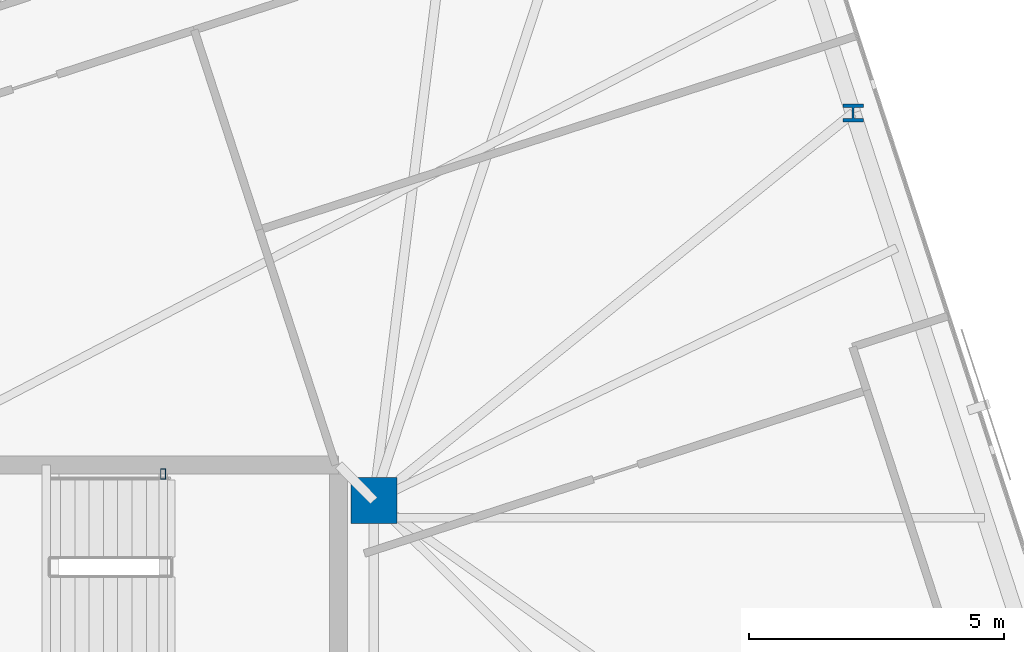
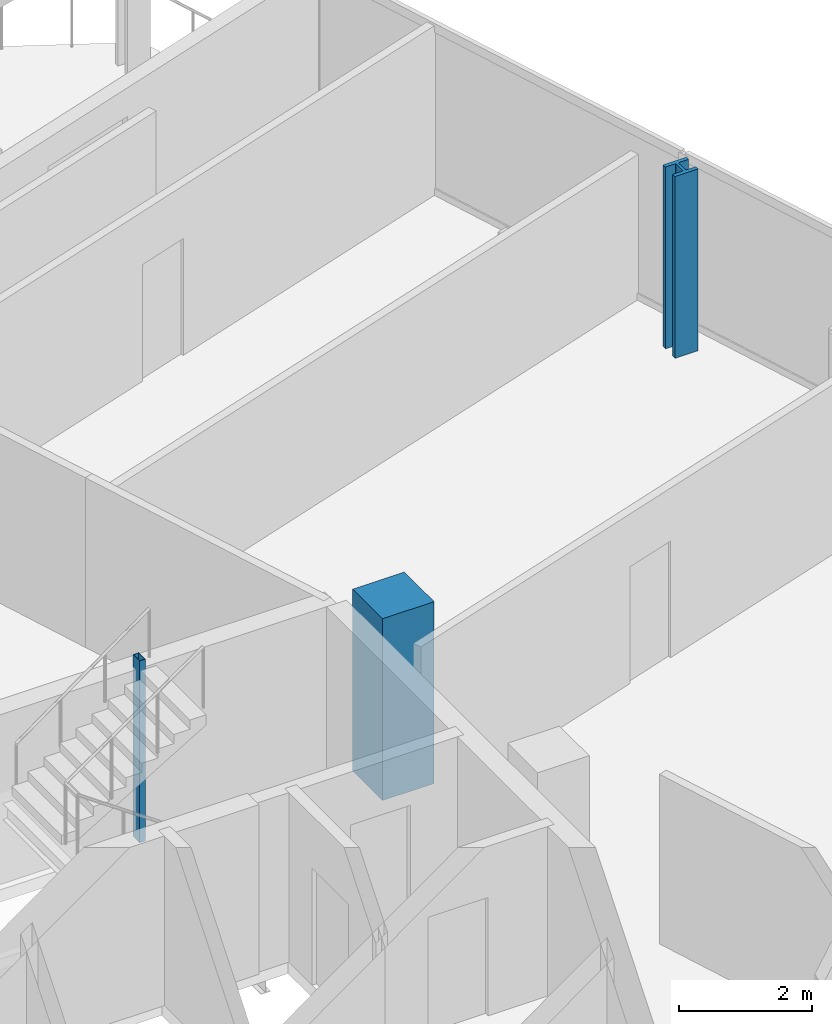
# One storey, part 3 of 19: 3 columns.
"""IFC4 building model written with IfcOpenShell, lengths in metres."""

from ifc_helpers import new_model, si_unit, direction, frame, origin, origin_2d, place, context, subcontext, project, spatial, rectangle, hollow_rectangle, i_section, extrude, material, material_profile, profile_set, type_object, element, save


model = new_model("IFC4")

# Units and contexts
model_context = context("Model", 3, precision=1e-05, world=origin(), true_north=direction((0.0, 1.0)))
body_context = subcontext(model_context, "Body", "Model", "MODEL_VIEW")
ifc_project = project(units=[si_unit("LENGTHUNIT", "METRE"), si_unit("AREAUNIT", "SQUARE_METRE"), si_unit("VOLUMEUNIT", "CUBIC_METRE"), si_unit("PLANEANGLEUNIT", "RADIAN"), si_unit("MASSUNIT", "GRAM", prefix="KILO")], contexts=[model_context])

# Site, building, storey
site_placement = place(None, origin())
site = spatial("IfcSite", under=ifc_project, at=site_placement, CompositionType="ELEMENT")
building_placement = place(site_placement, origin())
building = spatial("IfcBuilding", under=site, at=building_placement, Name="Menara Jurai Vektor", CompositionType="ELEMENT")
storey_placement = place(building_placement, frame((0.0, 0.0, 231.0)))
storey = spatial("IfcBuildingStorey", under=building, at=storey_placement, Name="L61", CompositionType="ELEMENT", Elevation=231.0)

# Columns
ifc_material_1 = material(Name="Concrete C50/60", Category="concrete")
ifc_material_profile_1 = material_profile(ifc_material_1, rectangle(XDim=0.89990234375, YDim=0.89990234375, at=origin_2d()), Name="RC 900x900")
ifc_profile_set_1 = profile_set([ifc_material_profile_1], Name="Concrete C50/60")
column_type_1 = type_object("IfcColumnType", Name="STR-COL-RC900", PredefinedType="COLUMN", material=ifc_profile_set_1)
column_1_placement = place(storey_placement, frame((15.25, 4.89990234375, 0.0), z_axis=(0.0, 0.0, 1.0), x_axis=(1.0, 0.0, 0.0)))
element("IfcColumn", 1, at=column_1_placement, inside=storey, type_object=column_type_1, Name="Core Spine Column CE-NE L61", PredefinedType="COLUMN", context=body_context, shape_type="SweptSolid", body=[
    extrude(rectangle(XDim=0.89990234375, YDim=0.89990234375, at=origin_2d()), origin(), (0.0, 0.0, 1.0), 3.35009765625),
])
ifc_material_2 = material(Name="Steel S355", Category="steel")
ifc_material_profile_2 = material_profile(ifc_material_2, hollow_rectangle(XDim=0.10009765625, YDim=0.199951171875, WallThickness=0.008056640625, at=origin_2d()), Name="RHS 200x100x8")
ifc_profile_set_2 = profile_set([ifc_material_profile_2], Name="Steel S355")
column_type_2 = type_object("IfcColumnType", Name="STR-COL-STAIR", PredefinedType="COLUMN", material=ifc_profile_set_2)
column_2_placement = place(storey_placement, frame((11.1201171875, 5.419921875, 0.0), z_axis=(0.0, 0.0, 1.0), x_axis=(1.0, 0.0, 0.0)))
element("IfcColumn", 2, at=column_2_placement, inside=storey, type_object=column_type_2, Name="Stair Well Header Column ST2-P2 L61", PredefinedType="COLUMN", context=body_context, shape_type="SweptSolid", body=[
    extrude(hollow_rectangle(XDim=0.10009765625, YDim=0.199951171875, WallThickness=0.008056640625, at=origin_2d()), origin(), (0.0, 0.0, 1.0), 3.35009765625),
])
ifc_material_3 = material(Name="Steel S460", Category="steel")
ifc_material_profile_3 = material_profile(ifc_material_3, i_section(OverallWidth=0.405029296875, OverallDepth=0.35498046875, WebThickness=0.0419921875, FlangeThickness=0.068115234375, FilletRadius=0.014892578125, at=origin_2d()), Name="HD 400x551")
ifc_profile_set_3 = profile_set([ifc_material_profile_3], Name="Steel S460")
column_type_3 = type_object("IfcColumnType", Name="STR-EXO-BLK4", PredefinedType="COLUMN", material=ifc_profile_set_3)
column_3_placement = place(storey_placement, frame((24.641845703125, 12.496826171875, 0.0), z_axis=(0.0, 0.0, 1.0), x_axis=(1.0, 0.0, 0.0)))
element("IfcColumn", 3, at=column_3_placement, inside=storey, type_object=column_type_3, Name="Exoskeleton Column BLK4-E3 L61", PredefinedType="COLUMN", context=body_context, shape_type="SweptSolid", body=[
    extrude(i_section(OverallWidth=0.405029296875, OverallDepth=0.35498046875, WebThickness=0.0419921875, FlangeThickness=0.068115234375, FilletRadius=0.014892578125, at=origin_2d()), origin(), (0.0, 0.0, 1.0), 3.35009765625),
])

save(model, "model.ifc")
